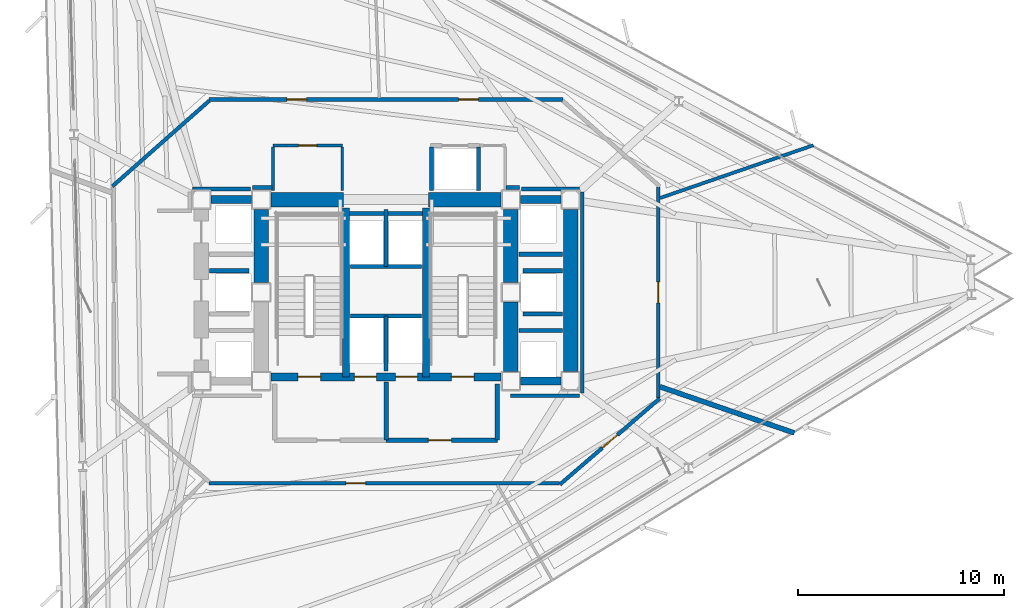
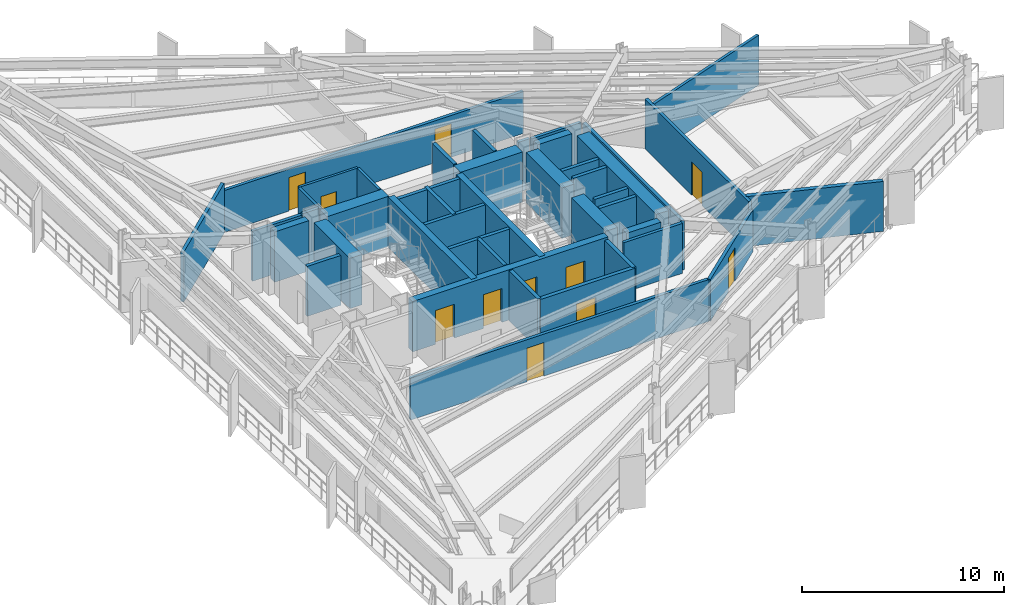
# One storey, part 8 of 14: 43 walls, 11 doors, 11 openings.
"""IFC4 building model written with IfcOpenShell, lengths in metres."""

from ifc_helpers import new_model, si_unit, direction, frame, frame_2d, origin, place, context, subcontext, project, spatial, rectangle, extrude, material, layer, layer_set, type_object, element, fill, save


model = new_model("IFC4")

# Units and contexts
model_context = context("Model", 3, precision=1e-05, world=origin(), true_north=direction((0.0, 1.0)))
body_context = subcontext(model_context, "Body", "Model", "MODEL_VIEW")
ifc_project = project(units=[si_unit("LENGTHUNIT", "METRE"), si_unit("AREAUNIT", "SQUARE_METRE"), si_unit("VOLUMEUNIT", "CUBIC_METRE"), si_unit("PLANEANGLEUNIT", "RADIAN"), si_unit("MASSUNIT", "GRAM", prefix="KILO")], contexts=[model_context])

# Site, building, storey
site_placement = place(None, origin())
site = spatial("IfcSite", under=ifc_project, at=site_placement, CompositionType="ELEMENT")
building_placement = place(site_placement, origin())
building = spatial("IfcBuilding", under=site, at=building_placement, Name="Rocaltana Carrier Exchange", CompositionType="ELEMENT")
storey_placement = place(building_placement, frame((0.0, 0.0, 42.39990234375)))
storey = spatial("IfcBuildingStorey", under=building, at=storey_placement, Name="L13", CompositionType="ELEMENT", Elevation=42.39990234375)

# Walls
ifc_material_1 = material(Name="Double Acoustic Gypsum Partition", Category="gypsum")
ifc_layer_1 = layer(ifc_material_1, 0.159912109375)
ifc_layer_set_1 = layer_set([ifc_layer_1], Name="Double Acoustic Gypsum Partition")
wall_type_1 = type_object("IfcWallType", Name="Acoustic Studio Partition 160 EI60", PredefinedType="PARTITIONING", material=ifc_layer_set_1)
wall_1_placement = place(storey_placement, frame((13.280029296875, 4.57275390625, 0.0), z_axis=(0.0, 0.0, 1.0), x_axis=(0.94552490271, 0.325549778613, 0.0)))
element("IfcWall", 1, at=wall_1_placement, inside=storey, type_object=wall_type_1, Name="L13 Suite Divider Wall D4", PredefinedType="PARTITIONING", context=body_context, shape_type="SweptSolid", body=[
    extrude(rectangle(XDim=7.867431640625, YDim=0.159912109375, at=frame_2d((3.93359375, 0.0))), origin(), (0.0, 0.0, 1.0), 3.01318359375),
])
ifc_material_2 = material(Name="Concrete C50/60", Category="concrete")
ifc_layer_2 = layer(ifc_material_2, 0.35009765625)
ifc_layer_set_2 = layer_set([ifc_layer_2], Name="Concrete C50/60")
wall_type_2 = type_object("IfcWallType", Name="Core Internal Shear Wall 350", PredefinedType="SHEAR", material=ifc_layer_set_2)
for number, where, z_axis, x_axis, name in (
    (2, (-1.93994140625, -4.10009765625, 0.0), (0.0, 0.0, 1.0), (0.0, 1.0, 0.0), "L13 Core Shear Wall CW-STW"),
    (3, (1.93994140625, -4.10009765625, 0.0), (0.0, 0.0, 1.0), (0.0, 1.0, 0.0), "L13 Core Shear Wall CW-STE"),
):
    element("IfcWall", number, at=place(storey_placement, frame(where, z_axis=z_axis, x_axis=x_axis)), inside=storey, type_object=wall_type_2, Name=name, PredefinedType="SHEAR", context=body_context, shape_type="SweptSolid", body=[
        extrude(rectangle(XDim=8.2001953125, YDim=0.35009765625, at=frame_2d((4.10009765625, 0.0))), origin(), (0.0, 0.0, 1.0), 3.0380859375),
    ])

# Wall, openings, doors
ifc_material_3 = material(Name="Concrete C50/60", Category="concrete")
ifc_layer_3 = layer(ifc_material_3, 0.39990234375)
ifc_layer_set_3 = layer_set([ifc_layer_3], Name="Concrete C50/60")
wall_type_3 = type_object("IfcWallType", Name="Core Internal Shear Wall 400", PredefinedType="SHEAR", material=ifc_layer_set_3)
wall_2_placement = place(storey_placement, frame((-5.574951171875, -4.10009765625, 0.0), z_axis=(0.0, 0.0, 1.0), x_axis=(1.0, 0.0, 0.0)))
wall_2 = element("IfcWall", 4, at=wall_2_placement, inside=storey, type_object=wall_type_3, Name="L13 Core Shear Wall CW-S", PredefinedType="SHEAR", context=body_context, shape_type="SweptSolid", body=[
    extrude(rectangle(XDim=11.14990234375, YDim=0.39990234375, at=frame_2d((5.574951171875, 0.0))), origin(), (0.0, 0.0, 1.0), 3.0380859375),
])
opening_1_placement = place(wall_2_placement, frame((1.304931640625, 0.0, 0.0)))
opening_1 = element("IfcOpeningElement", 5, at=opening_1_placement, cuts=wall_2, Name="Opening D-ST110", PredefinedType="OPENING", context=body_context, shape_type="SweptSolid", body=[
    extrude(rectangle(XDim=1.10009765625, YDim=2.0400390625, at=frame_2d((0.550048828125, 1.02001953125))), frame((0.0, 0.2099609375, 0.0), z_axis=(0.0, -1.0, 0.0), x_axis=(1.0, 0.0, 0.0)), (0.0, 0.0, 1.0), 0.419921875),
])
opening_2_placement = place(wall_2_placement, frame((8.7451171875, 0.0, 0.0)))
opening_2 = element("IfcOpeningElement", 6, at=opening_2_placement, cuts=wall_2, Name="Opening D-ST110", PredefinedType="OPENING", context=body_context, shape_type="SweptSolid", body=[
    extrude(rectangle(XDim=1.10009765625, YDim=2.0400390625, at=frame_2d((0.550048828125, 1.02001953125))), frame((0.0, 0.2099609375, 0.0), z_axis=(0.0, -1.0, 0.0), x_axis=(1.0, 0.0, 0.0)), (0.0, 0.0, 1.0), 0.419921875),
])
opening_3_placement = place(wall_2_placement, frame((4.044921875, 0.0, 0.0)))
opening_3 = element("IfcOpeningElement", 7, at=opening_3_placement, cuts=wall_2, Name="Opening LD-110", PredefinedType="OPENING", context=body_context, shape_type="SweptSolid", body=[
    extrude(rectangle(XDim=1.06005859375, YDim=2.0400390625, at=frame_2d((0.530029296875, 1.02001953125))), frame((0.0, 0.2099609375, 0.0), z_axis=(0.0, -1.0, 0.0), x_axis=(1.0, 0.0, 0.0)), (0.0, 0.0, 1.0), 0.419921875),
])
opening_4_placement = place(wall_2_placement, frame((6.044921875, 0.0, 0.0)))
opening_4 = element("IfcOpeningElement", 8, at=opening_4_placement, cuts=wall_2, Name="Opening LD-110", PredefinedType="OPENING", context=body_context, shape_type="SweptSolid", body=[
    extrude(rectangle(XDim=1.06005859375, YDim=2.0400390625, at=frame_2d((0.530029296875, 1.02001953125))), frame((0.0, 0.2099609375, 0.0), z_axis=(0.0, -1.0, 0.0), x_axis=(1.0, 0.0, 0.0)), (0.0, 0.0, 1.0), 0.419921875),
])
ifc_material_4 = material(Name="Hollow Metal Fire Door Assembly", Category="steel")
door_type_1 = type_object("IfcDoorType", Name="Exit Stair Fire Door 1100x2040 FD90S", OperationType="NOTDEFINED", PredefinedType="DOOR", material=ifc_material_4)
door_1_placement = place(opening_1_placement, origin())
door_1 = element("IfcDoor", 9, at=door_1_placement, inside=storey, type_object=door_type_1, Name="L13 Exit Stair ST1 Fire Door", OperationType="SINGLE_SWING_RIGHT", OverallHeight=2.0400390625, OverallWidth=1.10009765625, PredefinedType="DOOR", context=body_context, shape_type="SweptSolid", body=[
    extrude(rectangle(XDim=1.10009765625, YDim=2.0400390625, at=frame_2d((0.550048828125, 1.02001953125))), frame((0.0, 0.02490234375, 0.0), z_axis=(0.0, -1.0, 0.0), x_axis=(1.0, 0.0, 0.0)), (0.0, 0.0, 1.0), 0.050048828125),
])
fill(opening_1, door_1)
door_2_placement = place(opening_2_placement, origin())
door_2 = element("IfcDoor", 10, at=door_2_placement, inside=storey, type_object=door_type_1, Name="L13 Exit Stair ST2 Fire Door", OperationType="SINGLE_SWING_LEFT", OverallHeight=2.0400390625, OverallWidth=1.10009765625, PredefinedType="DOOR", context=body_context, shape_type="SweptSolid", body=[
    extrude(rectangle(XDim=1.10009765625, YDim=2.0400390625, at=frame_2d((0.550048828125, 1.02001953125))), frame((0.0, 0.02490234375, 0.0), z_axis=(0.0, -1.0, 0.0), x_axis=(1.0, 0.0, 0.0)), (0.0, 0.0, 1.0), 0.050048828125),
])
fill(opening_2, door_2)
ifc_material_5 = material(Name="Brushed Stainless Sliding Door Leaf", Category="steel")
door_type_2 = type_object("IfcDoorType", Name="Lift Landing Sliding Door 1060x2040", OperationType="NOTDEFINED", PredefinedType="DOOR", material=ifc_material_5)
door_3_placement = place(opening_3_placement, origin())
door_3 = element("IfcDoor", 11, at=door_3_placement, inside=storey, type_object=door_type_2, Name="L13 Firefighting Lift FFL1 Landing Door", OperationType="SLIDING_TO_LEFT", OverallHeight=2.0400390625, OverallWidth=1.06005859375, PredefinedType="DOOR", context=body_context, shape_type="SweptSolid", body=[
    extrude(rectangle(XDim=1.06005859375, YDim=2.0400390625, at=frame_2d((0.530029296875, 1.02001953125))), frame((0.0, 0.02490234375, 0.0), z_axis=(0.0, -1.0, 0.0), x_axis=(1.0, 0.0, 0.0)), (0.0, 0.0, 1.0), 0.050048828125),
])
fill(opening_3, door_3)
door_4_placement = place(opening_4_placement, origin())
door_4 = element("IfcDoor", 12, at=door_4_placement, inside=storey, type_object=door_type_2, Name="L13 Firefighting Lift FFL2 Landing Door", OperationType="SLIDING_TO_RIGHT", OverallHeight=2.0400390625, OverallWidth=1.06005859375, PredefinedType="DOOR", context=body_context, shape_type="SweptSolid", body=[
    extrude(rectangle(XDim=1.06005859375, YDim=2.0400390625, at=frame_2d((0.530029296875, 1.02001953125))), frame((0.0, 0.02490234375, 0.0), z_axis=(0.0, -1.0, 0.0), x_axis=(1.0, 0.0, 0.0)), (0.0, 0.0, 1.0), 0.050048828125),
])
fill(opening_4, door_4)

# Walls
for number, where, z_axis, x_axis, name in (
    (13, (-8.47509765625, 4.5, 0.0), (0.0, 0.0, 1.0), (1.0, 0.0, 0.0), "L13 Core Shear Wall CW-WWN"),
    (14, (6.52490234375, 4.5, 0.0), (0.0, 0.0, 1.0), (1.0, 0.0, 0.0), "L13 Core Shear Wall CW-EWN"),
    (15, (6.52490234375, -4.300048828125, 0.0), (0.0, 0.0, 1.0), (1.0, 0.0, 0.0), "L13 Core Shear Wall CW-EWS"),
):
    element("IfcWall", number, at=place(storey_placement, frame(where, z_axis=z_axis, x_axis=x_axis)), inside=storey, type_object=wall_type_3, Name=name, PredefinedType="SHEAR", context=body_context, shape_type="SweptSolid", body=[
        extrude(rectangle(XDim=1.9501953125, YDim=0.39990234375, at=frame_2d((0.97509765625, 0.0))), origin(), (0.0, 0.0, 1.0), 3.0380859375),
    ])
ifc_material_6 = material(Name="Concrete C60/75", Category="concrete")
ifc_layer_4 = layer(ifc_material_6, 0.699951171875)
ifc_layer_set_4 = layer_set([ifc_layer_4], Name="Concrete C60/75")
wall_type_4 = type_object("IfcWallType", Name="Core Shear Wall 700", PredefinedType="SHEAR", material=ifc_layer_set_4)
for number, where, z_axis, x_axis, name in (
    (16, (-6.050048828125, 0.47509765625, 0.0), (0.0, 0.0, 1.0), (0.0, 1.0, 0.0), "L13 Core Shear Wall CW-WN"),
    (17, (6.050048828125, 0.47509765625, 0.0), (0.0, 0.0, 1.0), (0.0, 1.0, 0.0), "L13 Core Shear Wall CW-EN"),
):
    element("IfcWall", number, at=place(storey_placement, frame(where, z_axis=z_axis, x_axis=x_axis)), inside=storey, type_object=wall_type_4, Name=name, PredefinedType="SHEAR", context=body_context, shape_type="SweptSolid", body=[
        extrude(rectangle(XDim=3.5498046875, YDim=0.699951171875, at=frame_2d((1.77490234375, 0.0))), origin(), (0.0, 0.0, 1.0), 3.0380859375),
    ])
wall_3_placement = place(storey_placement, frame((6.050048828125, -3.824951171875, 0.0), z_axis=(0.0, 0.0, 1.0), x_axis=(0.0, 1.0, 0.0)))
element("IfcWall", 18, at=wall_3_placement, inside=storey, type_object=wall_type_4, Name="L13 Core Shear Wall CW-ES", PredefinedType="SHEAR", context=body_context, shape_type="SweptSolid", body=[
    extrude(rectangle(XDim=3.349853515625, YDim=0.699951171875, at=frame_2d((1.6748046875, 0.0))), origin(), (0.0, 0.0, 1.0), 3.0380859375),
])
for number, where, z_axis, x_axis, name in (
    (19, (-5.574951171875, 4.5, 0.0), (0.0, 0.0, 1.0), (1.0, 0.0, 0.0), "L13 Core Shear Wall CW-N1"),
    (20, (2.050048828125, 4.5, 0.0), (0.0, 0.0, 1.0), (1.0, 0.0, 0.0), "L13 Core Shear Wall CW-N2"),
):
    element("IfcWall", number, at=place(storey_placement, frame(where, z_axis=z_axis, x_axis=x_axis)), inside=storey, type_object=wall_type_4, Name=name, PredefinedType="SHEAR", context=body_context, shape_type="SweptSolid", body=[
        extrude(rectangle(XDim=3.52490234375, YDim=0.699951171875, at=frame_2d((1.762451171875, 0.0))), origin(), (0.0, 0.0, 1.0), 3.0380859375),
    ])
wall_4_placement = place(storey_placement, frame((8.949951171875, -3.824951171875, 0.0), z_axis=(0.0, 0.0, 1.0), x_axis=(0.0, 1.0, 0.0)))
element("IfcWall", 21, at=wall_4_placement, inside=storey, type_object=wall_type_4, Name="L13 Core Shear Wall CW-EW", PredefinedType="SHEAR", context=body_context, shape_type="SweptSolid", body=[
    extrude(rectangle(XDim=7.849853515625, YDim=0.699951171875, at=frame_2d((3.9248046875, 0.0))), origin(), (0.0, 0.0, 1.0), 3.0380859375),
])

# Wall, openings, doors
ifc_material_7 = material(Name="Gypsum & Steel Stud Partition", Category="steel")
ifc_layer_5 = layer(ifc_material_7, 0.179931640625)
ifc_layer_set_5 = layer_set([ifc_layer_5], Name="Gypsum & Steel Stud Partition")
wall_type_5 = type_object("IfcWallType", Name="Corridor Fire Partition 180 EI60", PredefinedType="PARTITIONING", material=ifc_layer_set_5)
wall_5_placement = place(storey_placement, frame((-8.590087890625, 9.35009765625, 0.0), z_axis=(0.0, 0.0, 1.0), x_axis=(1.0, 0.0, 0.0)))
wall_5 = element("IfcWall", 22, at=wall_5_placement, inside=storey, type_object=wall_type_5, Name="L13 Corridor Partition 1", PredefinedType="PARTITIONING", context=body_context, shape_type="SweptSolid", body=[
    extrude(rectangle(XDim=17.18017578125, YDim=0.179931640625, at=frame_2d((8.590087890625, 0.0))), origin(), (0.0, 0.0, 1.0), 2.527099609375),
])
opening_5_placement = place(wall_5_placement, frame((12.110107421875, 0.0, 0.0)))
opening_5 = element("IfcOpeningElement", 23, at=opening_5_placement, cuts=wall_5, Name="Opening D-RM098", PredefinedType="OPENING", context=body_context, shape_type="SweptSolid", body=[
    extrude(rectangle(XDim=0.9599609375, YDim=2.02001953125, at=frame_2d((0.47998046875, 1.010009765625))), frame((0.0, 0.099853515625, 0.0), z_axis=(0.0, -1.0, 0.0), x_axis=(1.0, 0.0, 0.0)), (0.0, 0.0, 1.0), 0.199951171875),
])
opening_6_placement = place(wall_5_placement, frame((3.780517578125, 0.0, 0.0)))
opening_6 = element("IfcOpeningElement", 24, at=opening_6_placement, cuts=wall_5, Name="Opening D-RM098", PredefinedType="OPENING", context=body_context, shape_type="SweptSolid", body=[
    extrude(rectangle(XDim=0.9599609375, YDim=2.02001953125, at=frame_2d((0.47998046875, 1.010009765625))), frame((0.0, 0.099853515625, 0.0), z_axis=(0.0, -1.0, 0.0), x_axis=(1.0, 0.0, 0.0)), (0.0, 0.0, 1.0), 0.199951171875),
])
ifc_material_8 = material(Name="Engineered Hardwood Timber", Category="wood")
door_type_3 = type_object("IfcDoorType", Name="Workspace Single Door 960x2020", OperationType="NOTDEFINED", PredefinedType="DOOR", material=ifc_material_8)
door_5_placement = place(opening_5_placement, origin())
door_5 = element("IfcDoor", 25, at=door_5_placement, inside=storey, type_object=door_type_3, Name="L13 Quiet Focus Lounge Entrance Door", OperationType="SINGLE_SWING_RIGHT", OverallHeight=2.02001953125, OverallWidth=0.9599609375, PredefinedType="DOOR", context=body_context, shape_type="SweptSolid", body=[
    extrude(rectangle(XDim=0.9599609375, YDim=2.02001953125, at=frame_2d((0.47998046875, 1.010009765625))), frame((0.0, 0.02490234375, 0.0), z_axis=(0.0, -1.0, 0.0), x_axis=(1.0, 0.0, 0.0)), (0.0, 0.0, 1.0), 0.050048828125),
])
fill(opening_5, door_5)
door_6_placement = place(opening_6_placement, origin())
door_6 = element("IfcDoor", 26, at=door_6_placement, inside=storey, type_object=door_type_3, Name="L13 Peering Conference Room Entrance Door", OperationType="SINGLE_SWING_LEFT", OverallHeight=2.02001953125, OverallWidth=0.9599609375, PredefinedType="DOOR", context=body_context, shape_type="SweptSolid", body=[
    extrude(rectangle(XDim=0.9599609375, YDim=2.02001953125, at=frame_2d((0.47998046875, 1.010009765625))), frame((0.0, 0.02490234375, 0.0), z_axis=(0.0, -1.0, 0.0), x_axis=(1.0, 0.0, 0.0)), (0.0, 0.0, 1.0), 0.050048828125),
])
fill(opening_6, door_6)

# Wall, opening, door
wall_6_placement = place(storey_placement, frame((13.199951171875, 5.110107421875, 0.0), z_axis=(0.0, 0.0, 1.0), x_axis=(0.0, -1.0, 0.0)))
wall_6 = element("IfcWall", 27, at=wall_6_placement, inside=storey, type_object=wall_type_5, Name="L13 Corridor Partition 3", PredefinedType="PARTITIONING", context=body_context, shape_type="SweptSolid", body=[
    extrude(rectangle(XDim=10.22021484375, YDim=0.179931640625, at=frame_2d((5.110107421875, 0.0))), origin(), (0.0, 0.0, 1.0), 3.01318359375),
])
opening_7_placement = place(wall_6_placement, frame((4.60009765625, 0.0, 0.0)))
opening_7 = element("IfcOpeningElement", 28, at=opening_7_placement, cuts=wall_6, Name="Opening D-LB104", PredefinedType="OPENING", context=body_context, shape_type="SweptSolid", body=[
    extrude(rectangle(XDim=1.02001953125, YDim=2.02001953125, at=frame_2d((0.510009765625, 1.010009765625))), frame((0.0, 0.099853515625, 0.0), z_axis=(0.0, -1.0, 0.0), x_axis=(1.0, 0.0, 0.0)), (0.0, 0.0, 1.0), 0.199951171875),
])
ifc_material_9 = material(Name="Powder-Coated Aluminium 6063-T6", Category="aluminium")
door_type_4 = type_object("IfcDoorType", Name="Laboratory Acoustic Door 1020x2020", OperationType="NOTDEFINED", PredefinedType="DOOR", material=ifc_material_9)
door_7_placement = place(opening_7_placement, origin())
door_7 = element("IfcDoor", 29, at=door_7_placement, inside=storey, type_object=door_type_4, Name="L13 Optical Switching Laboratory Entrance Door", OperationType="SINGLE_SWING_LEFT", OverallHeight=2.02001953125, OverallWidth=1.02001953125, PredefinedType="DOOR", context=body_context, shape_type="SweptSolid", body=[
    extrude(rectangle(XDim=1.02001953125, YDim=2.02001953125, at=frame_2d((0.510009765625, 1.010009765625))), frame((0.0, 0.02490234375, 0.0), z_axis=(0.0, -1.0, 0.0), x_axis=(1.0, 0.0, 0.0)), (0.0, 0.0, 1.0), 0.050048828125),
])
fill(opening_7, door_7)

wall_7_placement = place(storey_placement, frame((13.268310546875, -5.14111328125, 0.0), z_axis=(0.0, 0.0, 1.0), x_axis=(-0.757534501725, -0.65279512766, 0.0)))
wall_7 = element("IfcWall", 30, at=wall_7_placement, inside=storey, type_object=wall_type_5, Name="L13 Corridor Partition 4", PredefinedType="PARTITIONING", context=body_context, shape_type="SweptSolid", body=[
    extrude(rectangle(XDim=6.384521484375, YDim=0.179931640625, at=frame_2d((3.1923828125, 0.0))), origin(), (0.0, 0.0, 1.0), 2.527099609375),
])
opening_8_placement = place(wall_7_placement, frame((2.712158203125, 0.0, 0.0)))
opening_8 = element("IfcOpeningElement", 31, at=opening_8_placement, cuts=wall_7, Name="Opening D-RM098", PredefinedType="OPENING", context=body_context, shape_type="SweptSolid", body=[
    extrude(rectangle(XDim=0.9599609375, YDim=2.02001953125, at=frame_2d((0.47998046875, 1.010009765625))), frame((0.0, 0.099853515625, 0.0), z_axis=(0.0, -1.0, 0.0), x_axis=(1.0, 0.0, 0.0)), (0.0, 0.0, 1.0), 0.199951171875),
])
door_8_placement = place(opening_8_placement, origin())
door_8 = element("IfcDoor", 32, at=door_8_placement, inside=storey, type_object=door_type_3, Name="L13 Cloud Architecture Office Entrance Door", OperationType="SINGLE_SWING_RIGHT", OverallHeight=2.02001953125, OverallWidth=0.9599609375, PredefinedType="DOOR", context=body_context, shape_type="SweptSolid", body=[
    extrude(rectangle(XDim=0.9599609375, YDim=2.02001953125, at=frame_2d((0.47998046875, 1.010009765625))), frame((0.0, 0.02490234375, 0.0), z_axis=(0.0, -1.0, 0.0), x_axis=(1.0, 0.0, 0.0)), (0.0, 0.0, 1.0), 0.050048828125),
])
fill(opening_8, door_8)

wall_8_placement = place(storey_placement, frame((8.409912109375, -9.25, 0.0), z_axis=(0.0, 0.0, 1.0), x_axis=(-1.0, 0.0, 0.0)))
wall_8 = element("IfcWall", 33, at=wall_8_placement, inside=storey, type_object=wall_type_5, Name="L13 Corridor Partition 5", PredefinedType="PARTITIONING", context=body_context, shape_type="SweptSolid", body=[
    extrude(rectangle(XDim=17.0, YDim=0.179931640625, at=frame_2d((8.5, 0.0))), origin(), (0.0, 0.0, 1.0), 2.527099609375),
])
opening_9_placement = place(wall_8_placement, frame((9.39892578125, 0.0, 0.0)))
opening_9 = element("IfcOpeningElement", 34, at=opening_9_placement, cuts=wall_8, Name="Opening D-RM098", PredefinedType="OPENING", context=body_context, shape_type="SweptSolid", body=[
    extrude(rectangle(XDim=0.9599609375, YDim=2.02001953125, at=frame_2d((0.47998046875, 1.010009765625))), frame((0.0, 0.099853515625, 0.0), z_axis=(0.0, -1.0, 0.0), x_axis=(1.0, 0.0, 0.0)), (0.0, 0.0, 1.0), 0.199951171875),
])
door_9_placement = place(opening_9_placement, origin())
door_9 = element("IfcDoor", 35, at=door_9_placement, inside=storey, type_object=door_type_3, Name="L13 Quiet Focus Lounge Entrance Door", OperationType="SINGLE_SWING_LEFT", OverallHeight=2.02001953125, OverallWidth=0.9599609375, PredefinedType="DOOR", context=body_context, shape_type="SweptSolid", body=[
    extrude(rectangle(XDim=0.9599609375, YDim=2.02001953125, at=frame_2d((0.47998046875, 1.010009765625))), frame((0.0, 0.02490234375, 0.0), z_axis=(0.0, -1.0, 0.0), x_axis=(1.0, 0.0, 0.0)), (0.0, 0.0, 1.0), 0.050048828125),
])
fill(opening_9, door_9)

# Walls
wall_9_placement = place(storey_placement, frame((-13.267578125, 5.140380859375, 0.0), z_axis=(0.0, 0.0, 1.0), x_axis=(0.749626463267, 0.66186113768, 0.0)))
element("IfcWall", 36, at=wall_9_placement, inside=storey, type_object=wall_type_5, Name="L13 Corridor Partition 8", PredefinedType="PARTITIONING", context=body_context, shape_type="SweptSolid", body=[
    extrude(rectangle(XDim=6.27001953125, YDim=0.179931640625, at=frame_2d((3.135009765625, 0.0))), origin(), (0.0, 0.0, 1.0), 3.01318359375),
])
wall_10_placement = place(storey_placement, frame((6.030029296875, -5.010009765625, 0.0), z_axis=(0.0, 0.0, 1.0), x_axis=(1.0, 0.0, 0.0)))
element("IfcWall", 37, at=wall_10_placement, inside=storey, type_object=wall_type_5, Name="L13 Corridor Partition 16", PredefinedType="PARTITIONING", context=body_context, shape_type="SweptSolid", body=[
    extrude(rectangle(XDim=3.340087890625, YDim=0.179931640625, at=frame_2d((1.669921875, 0.0))), origin(), (0.0, 0.0, 1.0), 3.01318359375),
])
wall_11_placement = place(storey_placement, frame((9.510009765625, -4.8701171875, 0.0), z_axis=(0.0, 0.0, 1.0), x_axis=(0.0, 1.0, 0.0)))
element("IfcWall", 38, at=wall_11_placement, inside=storey, type_object=wall_type_5, Name="L13 Corridor Partition 17", PredefinedType="PARTITIONING", context=body_context, shape_type="SweptSolid", body=[
    extrude(rectangle(XDim=9.740234375, YDim=0.179931640625, at=frame_2d((4.8701171875, 0.0))), origin(), (0.0, 0.0, 1.0), 3.01318359375),
])
wall_12_placement = place(storey_placement, frame((9.3701171875, 5.010009765625, 0.0), z_axis=(0.0, 0.0, 1.0), x_axis=(-1.0, 0.0, 0.0)))
element("IfcWall", 39, at=wall_12_placement, inside=storey, type_object=wall_type_5, Name="L13 Corridor Partition 18", PredefinedType="PARTITIONING", context=body_context, shape_type="SweptSolid", body=[
    extrude(rectangle(XDim=2.807861328125, YDim=0.179931640625, at=frame_2d((1.40380859375, 0.0))), origin(), (0.0, 0.0, 1.0), 3.01318359375),
])
wall_13_placement = place(storey_placement, frame((6.469970703125, 5.080078125, 0.0), z_axis=(0.0, 0.0, 1.0), x_axis=(-1.0, 0.0, 0.0)))
element("IfcWall", 40, at=wall_13_placement, inside=storey, type_object=wall_type_5, Name="L13 Corridor Partition 19", PredefinedType="PARTITIONING", context=body_context, shape_type="SweptSolid", body=[
    extrude(rectangle(XDim=0.64990234375, YDim=0.179931640625, at=frame_2d((0.324951171875, 0.0))), origin(), (0.0, 0.0, 1.0), 3.01318359375),
])
wall_14_placement = place(storey_placement, frame((-5.52001953125, 5.080078125, 0.0), z_axis=(0.0, 0.0, 1.0), x_axis=(-1.0, 0.0, 0.0)))
element("IfcWall", 41, at=wall_14_placement, inside=storey, type_object=wall_type_5, Name="L13 Corridor Partition 22", PredefinedType="PARTITIONING", context=body_context, shape_type="SweptSolid", body=[
    extrude(rectangle(XDim=0.949951171875, YDim=0.179931640625, at=frame_2d((0.47509765625, 0.0))), origin(), (0.0, 0.0, 1.0), 3.01318359375),
])
wall_15_placement = place(storey_placement, frame((-6.562255859375, 5.010009765625, 0.0), z_axis=(0.0, 0.0, 1.0), x_axis=(-1.0, 0.0, 0.0)))
element("IfcWall", 42, at=wall_15_placement, inside=storey, type_object=wall_type_5, Name="L13 Corridor Partition 23", PredefinedType="PARTITIONING", context=body_context, shape_type="SweptSolid", body=[
    extrude(rectangle(XDim=2.807861328125, YDim=0.179931640625, at=frame_2d((1.40380859375, 0.0))), origin(), (0.0, 0.0, 1.0), 3.01318359375),
])
ifc_material_10 = material(Name="Autoclaved Aerated Concrete C30/37", Category="concrete")
ifc_layer_6 = layer(ifc_material_10, 0.219970703125)
ifc_layer_set_6 = layer_set([ifc_layer_6], Name="Autoclaved Aerated Concrete C30/37")
wall_type_6 = type_object("IfcWallType", Name="Firefighting Lobby Wall 220 EI120", PredefinedType="PARTITIONING", material=ifc_layer_set_6)
wall_16_placement = place(storey_placement, frame((5.39990234375, -7.159912109375, 0.0), z_axis=(0.0, 0.0, 1.0), x_axis=(0.0, 1.0, 0.0)))
element("IfcWall", 43, at=wall_16_placement, inside=storey, type_object=wall_type_6, Name="L13 FFL Lobby 2 East Wall", PredefinedType="PARTITIONING", context=body_context, shape_type="SweptSolid", body=[
    extrude(rectangle(XDim=2.7099609375, YDim=0.219970703125, at=frame_2d((1.35498046875, 0.0))), origin(), (0.0, 0.0, 1.0), 3.01318359375),
])
wall_17_placement = place(storey_placement, frame((0.0, -7.159912109375, 0.0), z_axis=(0.0, 0.0, 1.0), x_axis=(0.0, 1.0, 0.0)))
element("IfcWall", 44, at=wall_17_placement, inside=storey, type_object=wall_type_6, Name="L13 FFL Lobby Centre Wall", PredefinedType="PARTITIONING", context=body_context, shape_type="SweptSolid", body=[
    extrude(rectangle(XDim=2.809814453125, YDim=0.219970703125, at=frame_2d((1.40478515625, 0.0))), origin(), (0.0, 0.0, 1.0), 3.01318359375),
])

# Wall, opening, door
wall_18_placement = place(storey_placement, frame((0.0, -7.159912109375, 0.0), z_axis=(0.0, 0.0, 1.0), x_axis=(1.0, 0.0, 0.0)))
wall_18 = element("IfcWall", 45, at=wall_18_placement, inside=storey, type_object=wall_type_6, Name="L13 FFL Lobby 2 South Wall", PredefinedType="PARTITIONING", context=body_context, shape_type="SweptSolid", body=[
    extrude(rectangle(XDim=5.39990234375, YDim=0.219970703125, at=frame_2d((2.699951171875, 0.0))), origin(), (0.0, 0.0, 1.0), 3.01318359375),
])
opening_10_placement = place(wall_18_placement, frame((2.050048828125, 0.0, 0.0)))
opening_10 = element("IfcOpeningElement", 46, at=opening_10_placement, cuts=wall_18, Name="Opening D-FF115", PredefinedType="OPENING", context=body_context, shape_type="SweptSolid", body=[
    extrude(rectangle(XDim=1.1201171875, YDim=2.02001953125, at=frame_2d((0.56005859375, 1.010009765625))), frame((0.0, 0.119873046875, 0.0), z_axis=(0.0, -1.0, 0.0), x_axis=(1.0, 0.0, 0.0)), (0.0, 0.0, 1.0), 0.239990234375),
])
ifc_material_11 = material(Name="Hollow Metal Fire Door Assembly", Category="steel")
door_type_5 = type_object("IfcDoorType", Name="Firefighting Lobby Door 1120x2020 FD60S", OperationType="NOTDEFINED", PredefinedType="DOOR", material=ifc_material_11)
door_10_placement = place(opening_10_placement, origin())
door_10 = element("IfcDoor", 47, at=door_10_placement, inside=storey, type_object=door_type_5, Name="L13 Firefighting Lift Lobby 2 Door", OperationType="SINGLE_SWING_LEFT", OverallHeight=2.02001953125, OverallWidth=1.1201171875, PredefinedType="DOOR", context=body_context, shape_type="SweptSolid", body=[
    extrude(rectangle(XDim=1.1201171875, YDim=2.02001953125, at=frame_2d((0.56005859375, 1.010009765625))), frame((0.0, 0.02490234375, 0.0), z_axis=(0.0, -1.0, 0.0), x_axis=(1.0, 0.0, 0.0)), (0.0, 0.0, 1.0), 0.050048828125),
])
fill(opening_10, door_10)

# Walls
ifc_material_12 = material(Name="Acoustic Calcium Silicate Partition", Category="gypsum")
ifc_layer_7 = layer(ifc_material_12, 0.239990234375)
ifc_layer_set_7 = layer_set([ifc_layer_7], Name="Acoustic Calcium Silicate Partition")
wall_type_7 = type_object("IfcWallType", Name="Heavy Lab Partition 240 EI90", PredefinedType="PARTITIONING", material=ifc_layer_set_7)
wall_19_placement = place(storey_placement, frame((13.280029296875, -4.57275390625, 0.0), z_axis=(0.0, 0.0, 1.0), x_axis=(0.945516314602, -0.325574720797, 0.0)))
element("IfcWall", 48, at=wall_19_placement, inside=storey, type_object=wall_type_7, Name="L13 Suite Divider Wall D3", PredefinedType="PARTITIONING", context=body_context, shape_type="SweptSolid", body=[
    extrude(rectangle(XDim=6.89208984375, YDim=0.239990234375, at=frame_2d((3.446044921875, 0.0))), origin(), (0.0, 0.0, 1.0), 3.01318359375),
])
ifc_material_13 = material(Name="Reinforced Concrete Block C35/45", Category="concrete")
ifc_layer_8 = layer(ifc_material_13, 0.199951171875)
ifc_layer_set_8 = layer_set([ifc_layer_8], Name="Reinforced Concrete Block C35/45")
wall_type_8 = type_object("IfcWallType", Name="Lift Hoistway Enclosure Wall 200 EI120", PredefinedType="PARTITIONING", material=ifc_layer_set_8)
wall_20_placement = place(storey_placement, frame((0.0, -3.820068359375, 0.0), z_axis=(0.0, 0.0, 1.0), x_axis=(0.0, 1.0, 0.0)))
element("IfcWall", 49, at=wall_20_placement, inside=storey, type_object=wall_type_8, Name="L13 FFL Shaft Divider", PredefinedType="PARTITIONING", context=body_context, shape_type="SweptSolid", body=[
    extrude(rectangle(XDim=2.670166015625, YDim=0.199951171875, at=frame_2d((1.3349609375, 0.0))), origin(), (0.0, 0.0, 1.0), 3.01318359375),
])
wall_21_placement = place(storey_placement, frame((-1.719970703125, -1.14990234375, 0.0), z_axis=(0.0, 0.0, 1.0), x_axis=(1.0, 0.0, 0.0)))
element("IfcWall", 50, at=wall_21_placement, inside=storey, type_object=wall_type_8, Name="L13 FFL Shaft Back Wall", PredefinedType="PARTITIONING", context=body_context, shape_type="SweptSolid", body=[
    extrude(rectangle(XDim=3.43994140625, YDim=0.199951171875, at=frame_2d((1.719970703125, 0.0))), origin(), (0.0, 0.0, 1.0), 3.01318359375),
])
wall_22_placement = place(storey_placement, frame((0.0, 1.25, 0.0), z_axis=(0.0, 0.0, 1.0), x_axis=(0.0, 1.0, 0.0)))
element("IfcWall", 51, at=wall_22_placement, inside=storey, type_object=wall_type_8, Name="L13 High-Rise Shaft Divider", PredefinedType="PARTITIONING", context=body_context, shape_type="SweptSolid", body=[
    extrude(rectangle(XDim=2.77001953125, YDim=0.199951171875, at=frame_2d((1.385009765625, 0.0))), origin(), (0.0, 0.0, 1.0), 3.01318359375),
])
wall_23_placement = place(storey_placement, frame((-1.719970703125, 1.25, 0.0), z_axis=(0.0, 0.0, 1.0), x_axis=(1.0, 0.0, 0.0)))
element("IfcWall", 52, at=wall_23_placement, inside=storey, type_object=wall_type_8, Name="L13 High-Rise Shaft Back Wall", PredefinedType="PARTITIONING", context=body_context, shape_type="SweptSolid", body=[
    extrude(rectangle(XDim=3.43994140625, YDim=0.199951171875, at=frame_2d((1.719970703125, 0.0))), origin(), (0.0, 0.0, 1.0), 3.01318359375),
])
wall_24_placement = place(storey_placement, frame((-1.760009765625, 3.820068359375, 0.0), z_axis=(0.0, 0.0, 1.0), x_axis=(1.0, 0.0, 0.0)))
element("IfcWall", 53, at=wall_24_placement, inside=storey, type_object=wall_type_8, Name="L13 High-Rise Lift Front Wall", PredefinedType="PARTITIONING", context=body_context, shape_type="SweptSolid", body=[
    extrude(rectangle(XDim=3.52001953125, YDim=0.199951171875, at=frame_2d((1.760009765625, 0.0))), origin(), (0.0, 0.0, 1.0), 3.01318359375),
])
for number, where, z_axis, x_axis, name in (
    (54, (2.199951171875, 4.949951171875, 0.0), (0.0, 0.0, 1.0), (0.0, 1.0, 0.0), "L13 Goods Lift West Wall"),
    (55, (4.47998046875, 4.949951171875, 0.0), (0.0, 0.0, 1.0), (0.0, 1.0, 0.0), "L13 Goods Lift East Wall"),
):
    element("IfcWall", number, at=place(storey_placement, frame(where, z_axis=z_axis, x_axis=x_axis)), inside=storey, type_object=wall_type_8, Name=name, PredefinedType="PARTITIONING", context=body_context, shape_type="SweptSolid", body=[
        extrude(rectangle(XDim=2.10009765625, YDim=0.199951171875, at=frame_2d((1.050048828125, 0.0))), origin(), (0.0, 0.0, 1.0), 3.01318359375),
    ])
wall_25_placement = place(storey_placement, frame((-8.550048828125, 1.050048828125, 0.0), z_axis=(0.0, 0.0, 1.0), x_axis=(1.0, 0.0, 0.0)))
element("IfcWall", 56, at=wall_25_placement, inside=storey, type_object=wall_type_8, Name="L13 Low-Rise Center Shaft Wall North", PredefinedType="PARTITIONING", context=body_context, shape_type="SweptSolid", body=[
    extrude(rectangle(XDim=1.91015625, YDim=0.199951171875, at=frame_2d((0.955078125, 0.0))), origin(), (0.0, 0.0, 1.0), 3.01318359375),
])
for number, where, z_axis, x_axis, name in (
    (57, (6.449951171875, -1.85009765625, 0.0), (0.0, 0.0, 1.0), (1.0, 0.0, 0.0), "L13 Mid-Rise Shaft Divider 1"),
    (58, (6.449951171875, 1.85009765625, 0.0), (0.0, 0.0, 1.0), (1.0, 0.0, 0.0), "L13 Mid-Rise Shaft Divider 2"),
):
    element("IfcWall", number, at=place(storey_placement, frame(where, z_axis=z_axis, x_axis=x_axis)), inside=storey, type_object=wall_type_8, Name=name, PredefinedType="PARTITIONING", context=body_context, shape_type="SweptSolid", body=[
        extrude(rectangle(XDim=2.10009765625, YDim=0.199951171875, at=frame_2d((1.050048828125, 0.0))), origin(), (0.0, 0.0, 1.0), 3.01318359375),
    ])
for number, where, z_axis, x_axis, name in (
    (59, (6.639892578125, -1.050048828125, 0.0), (0.0, 0.0, 1.0), (1.0, 0.0, 0.0), "L13 Mid-Rise Center Shaft Wall South"),
    (60, (6.639892578125, 1.050048828125, 0.0), (0.0, 0.0, 1.0), (1.0, 0.0, 0.0), "L13 Mid-Rise Center Shaft Wall North"),
):
    element("IfcWall", number, at=place(storey_placement, frame(where, z_axis=z_axis, x_axis=x_axis)), inside=storey, type_object=wall_type_8, Name=name, PredefinedType="PARTITIONING", context=body_context, shape_type="SweptSolid", body=[
        extrude(rectangle(XDim=1.91015625, YDim=0.199951171875, at=frame_2d((0.955078125, 0.0))), origin(), (0.0, 0.0, 1.0), 3.01318359375),
    ])
ifc_material_14 = material(Name="Moisture-Resistant Masonry C30/37", Category="masonry")
ifc_layer_9 = layer(ifc_material_14, 0.139892578125)
ifc_layer_set_9 = layer_set([ifc_layer_9], Name="Moisture-Resistant Masonry C30/37")
wall_type_9 = type_object("IfcWallType", Name="Wet-Area Sanitary Partition 140", PredefinedType="PARTITIONING", material=ifc_layer_set_9)
for number, where, z_axis, x_axis, name in (
    (61, (-5.47998046875, 4.949951171875, 0.0), (0.0, 0.0, 1.0), (0.0, 1.0, 0.0), "L13 Sanitary West Wall"),
    (62, (-2.1201171875, 4.949951171875, 0.0), (0.0, 0.0, 1.0), (0.0, 1.0, 0.0), "L13 Sanitary East Wall"),
):
    element("IfcWall", number, at=place(storey_placement, frame(where, z_axis=z_axis, x_axis=x_axis)), inside=storey, type_object=wall_type_9, Name=name, PredefinedType="PARTITIONING", context=body_context, shape_type="SweptSolid", body=[
        extrude(rectangle(XDim=2.10009765625, YDim=0.139892578125, at=frame_2d((1.050048828125, 0.0))), origin(), (0.0, 0.0, 1.0), 3.01318359375),
    ])

# Wall, opening, door
wall_26_placement = place(storey_placement, frame((-5.47998046875, 7.1201171875, 0.0), z_axis=(0.0, 0.0, 1.0), x_axis=(1.0, 0.0, 0.0)))
wall_26 = element("IfcWall", 63, at=wall_26_placement, inside=storey, type_object=wall_type_9, Name="L13 Sanitary North Wall", PredefinedType="PARTITIONING", context=body_context, shape_type="SweptSolid", body=[
    extrude(rectangle(XDim=3.35986328125, YDim=0.139892578125, at=frame_2d((1.679931640625, 0.0))), origin(), (0.0, 0.0, 1.0), 3.01318359375),
])
opening_11_placement = place(wall_26_placement, frame((1.239990234375, 0.0, 0.0)))
opening_11 = element("IfcOpeningElement", 64, at=opening_11_placement, cuts=wall_26, Name="Opening D-WC090", PredefinedType="OPENING", context=body_context, shape_type="SweptSolid", body=[
    extrude(rectangle(XDim=0.8798828125, YDim=2.02001953125, at=frame_2d((0.43994140625, 1.010009765625))), frame((0.0, 0.079833984375, 0.0), z_axis=(0.0, -1.0, 0.0), x_axis=(1.0, 0.0, 0.0)), (0.0, 0.0, 1.0), 0.159912109375),
])
ifc_material_15 = material(Name="High-Pressure Laminate Timber", Category="wood")
door_type_6 = type_object("IfcDoorType", Name="Restroom & Accessible WC Door 880x2020", OperationType="NOTDEFINED", PredefinedType="DOOR", material=ifc_material_15)
door_11_placement = place(opening_11_placement, origin())
door_11 = element("IfcDoor", 65, at=door_11_placement, inside=storey, type_object=door_type_6, Name="L13 Accessible Toilet Door", OperationType="SINGLE_SWING_RIGHT", OverallHeight=2.02001953125, OverallWidth=0.8798828125, PredefinedType="DOOR", context=body_context, shape_type="SweptSolid", body=[
    extrude(rectangle(XDim=0.8798828125, YDim=2.02001953125, at=frame_2d((0.43994140625, 1.010009765625))), frame((0.0, 0.02490234375, 0.0), z_axis=(0.0, -1.0, 0.0), x_axis=(1.0, 0.0, 0.0)), (0.0, 0.0, 1.0), 0.050048828125),
])
fill(opening_11, door_11)

save(model, "model.ifc")
